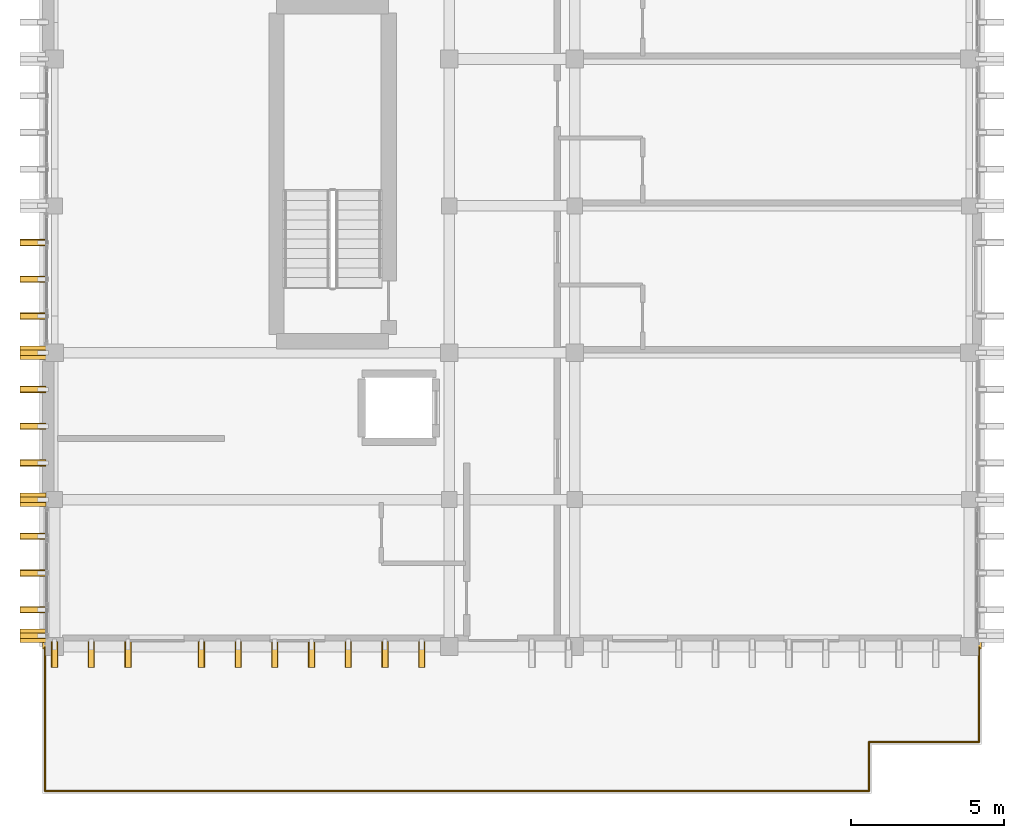
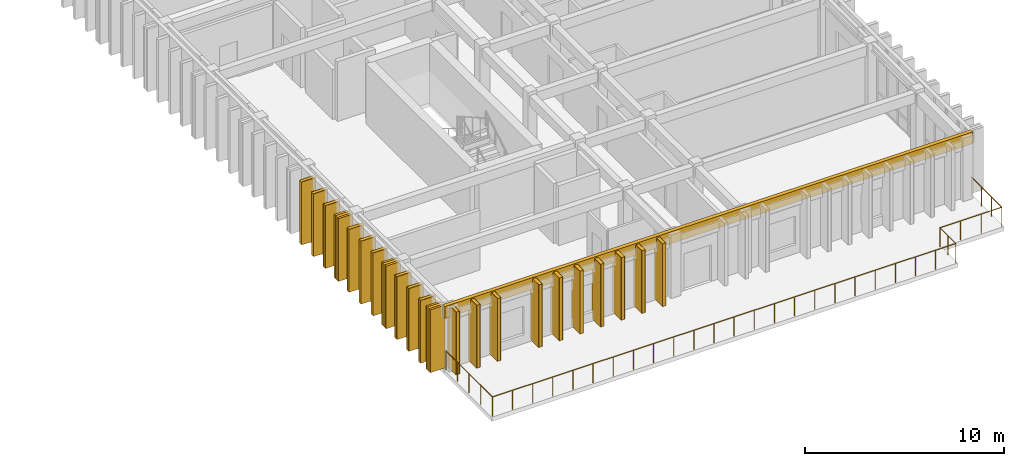
# One storey, part 44 of 49: 23 coverings, 22 shading devices, 1 railing.
"""IFC4 building model written with IfcOpenShell, lengths in metres."""

from ifc_helpers import new_model, si_unit, direction, frame, origin, origin_2d, place, context, subcontext, project, spatial, rectangle, circle, extrude, material, layer, layer_set, type_object, element, save


model = new_model("IFC4")

# Units and contexts
model_context = context("Model", 3, precision=1e-05, world=origin(), true_north=direction((0.0, 1.0)))
body_context = subcontext(model_context, "Body", "Model", "MODEL_VIEW")
ifc_project = project(units=[si_unit("LENGTHUNIT", "METRE"), si_unit("AREAUNIT", "SQUARE_METRE"), si_unit("VOLUMEUNIT", "CUBIC_METRE"), si_unit("PLANEANGLEUNIT", "RADIAN"), si_unit("MASSUNIT", "GRAM", prefix="KILO")], contexts=[model_context])

# Site, building, storey
site_placement = place(None, origin())
site = spatial("IfcSite", under=ifc_project, at=site_placement, CompositionType="ELEMENT")
building_placement = place(site_placement, origin())
building = spatial("IfcBuilding", under=site, at=building_placement, Name="Nakhvara Creek Congress Hotel", CompositionType="ELEMENT")
storey_placement = place(building_placement, frame((0.0, 0.0, 46.5)))
storey = spatial("IfcBuildingStorey", under=building, at=storey_placement, Name="L11", CompositionType="ELEMENT", Elevation=46.5)

# Coverings
ifc_material_1 = material(Name="Honed pale Omani limestone architectural cladding", Category="masonry")
ifc_layer_1 = layer(ifc_material_1, 0.219970703125)
ifc_layer_set_1 = layer_set([ifc_layer_1], Name="Honed pale Omani limestone architectural cladding")
covering_type_1 = type_object("IfcCoveringType", Name="COV-FIN-850", PredefinedType="CLADDING", material=ifc_layer_set_1)
covering_1_placement = place(storey_placement, frame((148.7451171875, 67.550048828125, 0.0), z_axis=(0.0, 0.0, 1.0), x_axis=(0.0, 1.0, 0.0)))
element("IfcCovering", 1, at=covering_1_placement, inside=storey, type_object=covering_type_1, Name="Pale Limestone Fin Cladding CF01-2440", PredefinedType="CLADDING", context=body_context, shape_type="SweptSolid", body=[
    extrude(rectangle(XDim=0.43994140625, YDim=0.85009765625, at=origin_2d()), origin(), (0.0, 0.0, 1.0), 3.860107421875),
])
for number, where, z_axis, x_axis, name in (
    (2, (148.7451171875, 68.39990234375, 0.0), (0.0, 0.0, 1.0), (0.0, 1.0, 0.0), "Pale Limestone Fin Cladding CF01-2442"),
    (3, (148.7451171875, 69.60009765625, 0.0), (0.0, 0.0, 1.0), (0.0, 1.0, 0.0), "Pale Limestone Fin Cladding CF01-2444"),
    (4, (148.7451171875, 70.800048828125, 0.0), (0.0, 0.0, 1.0), (0.0, 1.0, 0.0), "Pale Limestone Fin Cladding CF01-2446"),
):
    element("IfcCovering", number, at=place(storey_placement, frame(where, z_axis=z_axis, x_axis=x_axis)), inside=storey, type_object=covering_type_1, Name=name, PredefinedType="CLADDING", context=body_context, shape_type="SweptSolid", body=[
        extrude(rectangle(XDim=0.219970703125, YDim=0.85009765625, at=origin_2d()), origin(), (0.0, 0.0, 1.0), 3.860107421875),
    ])
covering_2_placement = place(storey_placement, frame((148.7451171875, 72.0, 0.0), z_axis=(0.0, 0.0, 1.0), x_axis=(0.0, 1.0, 0.0)))
element("IfcCovering", 5, at=covering_2_placement, inside=storey, type_object=covering_type_1, Name="Pale Limestone Fin Cladding CF01-2448", PredefinedType="CLADDING", context=body_context, shape_type="SweptSolid", body=[
    extrude(rectangle(XDim=0.43994140625, YDim=0.85009765625, at=origin_2d()), origin(), (0.0, 0.0, 1.0), 3.860107421875),
])
for number, where, z_axis, x_axis, name in (
    (6, (148.7451171875, 73.199951171875, 0.0), (0.0, 0.0, 1.0), (0.0, 1.0, 0.0), "Pale Limestone Fin Cladding CF01-2450"),
    (7, (148.7451171875, 74.39990234375, 0.0), (0.0, 0.0, 1.0), (0.0, 1.0, 0.0), "Pale Limestone Fin Cladding CF01-2452"),
    (8, (148.7451171875, 75.60009765625, 0.0), (0.0, 0.0, 1.0), (0.0, 1.0, 0.0), "Pale Limestone Fin Cladding CF01-2454"),
):
    element("IfcCovering", number, at=place(storey_placement, frame(where, z_axis=z_axis, x_axis=x_axis)), inside=storey, type_object=covering_type_1, Name=name, PredefinedType="CLADDING", context=body_context, shape_type="SweptSolid", body=[
        extrude(rectangle(XDim=0.219970703125, YDim=0.85009765625, at=origin_2d()), origin(), (0.0, 0.0, 1.0), 3.860107421875),
    ])
covering_3_placement = place(storey_placement, frame((148.7451171875, 76.800048828125, 0.0), z_axis=(0.0, 0.0, 1.0), x_axis=(0.0, 1.0, 0.0)))
element("IfcCovering", 9, at=covering_3_placement, inside=storey, type_object=covering_type_1, Name="Pale Limestone Fin Cladding CF01-2456", PredefinedType="CLADDING", context=body_context, shape_type="SweptSolid", body=[
    extrude(rectangle(XDim=0.43994140625, YDim=0.85009765625, at=origin_2d()), origin(), (0.0, 0.0, 1.0), 3.860107421875),
])
for number, where, z_axis, x_axis, name in (
    (10, (148.7451171875, 78.0, 0.0), (0.0, 0.0, 1.0), (0.0, 1.0, 0.0), "Pale Limestone Fin Cladding CF01-2458"),
    (11, (148.7451171875, 79.199951171875, 0.0), (0.0, 0.0, 1.0), (0.0, 1.0, 0.0), "Pale Limestone Fin Cladding CF01-2459"),
    (12, (148.7451171875, 80.39990234375, 0.0), (0.0, 0.0, 1.0), (0.0, 1.0, 0.0), "Pale Limestone Fin Cladding CF01-2461"),
    (13, (149.449951171875, 66.93505859375, 0.0), (0.0, 0.0, 1.0), (1.0, 0.0, 0.0), "Pale Limestone Fin Cladding CF01-2536"),
    (14, (150.64990234375, 66.93505859375, 0.0), (0.0, 0.0, 1.0), (1.0, 0.0, 0.0), "Pale Limestone Fin Cladding CF01-2538"),
    (15, (151.85009765625, 66.93505859375, 0.0), (0.0, 0.0, 1.0), (1.0, 0.0, 0.0), "Pale Limestone Fin Cladding CF01-2540"),
    (16, (154.25, 66.93505859375, 0.0), (0.0, 0.0, 1.0), (1.0, 0.0, 0.0), "Pale Limestone Fin Cladding CF01-2542"),
    (17, (155.449951171875, 66.93505859375, 0.0), (0.0, 0.0, 1.0), (1.0, 0.0, 0.0), "Pale Limestone Fin Cladding CF01-2544"),
    (18, (156.64990234375, 66.93505859375, 0.0), (0.0, 0.0, 1.0), (1.0, 0.0, 0.0), "Pale Limestone Fin Cladding CF01-2546"),
    (19, (157.85009765625, 66.93505859375, 0.0), (0.0, 0.0, 1.0), (1.0, 0.0, 0.0), "Pale Limestone Fin Cladding CF01-2548"),
    (20, (159.050048828125, 66.93505859375, 0.0), (0.0, 0.0, 1.0), (1.0, 0.0, 0.0), "Pale Limestone Fin Cladding CF01-2550"),
    (21, (160.25, 66.93505859375, 0.0), (0.0, 0.0, 1.0), (1.0, 0.0, 0.0), "Pale Limestone Fin Cladding CF01-2552"),
    (22, (161.449951171875, 66.93505859375, 0.0), (0.0, 0.0, 1.0), (1.0, 0.0, 0.0), "Pale Limestone Fin Cladding CF01-2554"),
):
    element("IfcCovering", number, at=place(storey_placement, frame(where, z_axis=z_axis, x_axis=x_axis)), inside=storey, type_object=covering_type_1, Name=name, PredefinedType="CLADDING", context=body_context, shape_type="SweptSolid", body=[
        extrude(rectangle(XDim=0.219970703125, YDim=0.85009765625, at=origin_2d()), origin(), (0.0, 0.0, 1.0), 3.860107421875),
    ])
ifc_layer_2 = layer(ifc_material_1, 0.179931640625)
ifc_layer_set_2 = layer_set([ifc_layer_2], Name="Honed pale Omani limestone architectural cladding")
covering_type_2 = type_object("IfcCoveringType", Name="COV-SPN-180", PredefinedType="CLADDING", material=ifc_layer_set_2)
covering_4_placement = place(storey_placement, frame((164.39990234375, 67.22998046875, 3.2099609375), z_axis=(0.0, 0.0, 1.0), x_axis=(1.0, 0.0, 0.0)))
element("IfcCovering", 23, at=covering_4_placement, inside=storey, type_object=covering_type_2, Name="Pale Limestone Spandrel Band CF02-0088", PredefinedType="CLADDING", context=body_context, shape_type="SweptSolid", body=[
    extrude(rectangle(XDim=30.699951171875, YDim=0.219970703125, at=origin_2d()), origin(), (0.0, 0.0, 1.0), 0.72998046875),
])

# Railing
ifc_material_2 = material(Name="Bronze-anodised aluminium and laminated safety glass balustrade", Category="aluminium")
railing_type = type_object("IfcRailingType", Name="RL-BALUS-1200", PredefinedType="BALUSTRADE", material=ifc_material_2)
railing_placement = place(storey_placement, frame((149.1298828125, 67.159912109375, 0.0)))
element("IfcRailing", 24, at=railing_placement, inside=storey, type_object=railing_type, Name="Terrace Balustrade GR02-L11-009", PredefinedType="BALUSTRADE", context=body_context, shape_type="SweptSolid", body=[
    extrude(circle(Radius=0.02392578125, at=origin_2d()), frame((0.0, -0.0146484375, 1.17578125), z_axis=(0.0, -1.0, 0.0), x_axis=(1.0, 0.0, 0.0)), (0.0, 0.0, 1.0), 4.650634765625),
    extrude(circle(Radius=0.02392578125, at=origin_2d()), frame((0.0146484375, -4.679931640625, 1.17578125), z_axis=(1.0, 0.0, 0.0), x_axis=(0.0, 1.0, 0.0)), (0.0, 0.0, 1.0), 26.910888671875),
    extrude(circle(Radius=0.02392578125, at=origin_2d()), frame((26.940185546875, -4.665283203125, 1.17578125), z_axis=(0.0, 1.0, 0.0), x_axis=(-1.0, 0.0, 0.0)), (0.0, 0.0, 1.0), 1.57080078125),
    extrude(circle(Radius=0.02392578125, at=origin_2d()), frame((26.954833984375, -3.079833984375, 1.17578125), z_axis=(1.0, 0.0, 0.0), x_axis=(0.0, 1.0, 0.0)), (0.0, 0.0, 1.0), 3.570556640625),
    extrude(circle(Radius=0.02392578125, at=origin_2d()), frame((30.5400390625, -3.065185546875, 1.17578125), z_axis=(0.0, 1.0, 0.0), x_axis=(-1.0, 0.0, 0.0)), (0.0, 0.0, 1.0), 3.050537109375),
    extrude(circle(Radius=0.02099609375, at=origin_2d()), origin(), (0.0, 0.0, 1.0), 1.1806640625),
    extrude(circle(Radius=0.02099609375, at=origin_2d()), frame((0.0, -1.169921875, 0.0)), (0.0, 0.0, 1.0), 1.1806640625),
    extrude(circle(Radius=0.02099609375, at=origin_2d()), frame((0.0, -2.33984375, 0.0)), (0.0, 0.0, 1.0), 1.1806640625),
    extrude(circle(Radius=0.02099609375, at=origin_2d()), frame((0.0, -3.510009765625, 0.0)), (0.0, 0.0, 1.0), 1.1806640625),
    extrude(circle(Radius=0.02099609375, at=origin_2d()), frame((0.0, -4.679931640625, 0.0)), (0.0, 0.0, 1.0), 1.1806640625),
    extrude(circle(Radius=0.02099609375, at=origin_2d()), frame((1.17138671875, -4.679931640625, 0.0)), (0.0, 0.0, 1.0), 1.1806640625),
    extrude(circle(Radius=0.02099609375, at=origin_2d()), frame((2.342529296875, -4.679931640625, 0.0)), (0.0, 0.0, 1.0), 1.1806640625),
    extrude(circle(Radius=0.02099609375, at=origin_2d()), frame((3.513916015625, -4.679931640625, 0.0)), (0.0, 0.0, 1.0), 1.1806640625),
    extrude(circle(Radius=0.02099609375, at=origin_2d()), frame((4.685302734375, -4.679931640625, 0.0)), (0.0, 0.0, 1.0), 1.1806640625),
    extrude(circle(Radius=0.02099609375, at=origin_2d()), frame((5.8564453125, -4.679931640625, 0.0)), (0.0, 0.0, 1.0), 1.1806640625),
    extrude(circle(Radius=0.02099609375, at=origin_2d()), frame((7.02783203125, -4.679931640625, 0.0)), (0.0, 0.0, 1.0), 1.1806640625),
    extrude(circle(Radius=0.02099609375, at=origin_2d()), frame((8.19921875, -4.679931640625, 0.0)), (0.0, 0.0, 1.0), 1.1806640625),
    extrude(circle(Radius=0.02099609375, at=origin_2d()), frame((9.37060546875, -4.679931640625, 0.0)), (0.0, 0.0, 1.0), 1.1806640625),
    extrude(circle(Radius=0.02099609375, at=origin_2d()), frame((10.541748046875, -4.679931640625, 0.0)), (0.0, 0.0, 1.0), 1.1806640625),
    extrude(circle(Radius=0.02099609375, at=origin_2d()), frame((11.713134765625, -4.679931640625, 0.0)), (0.0, 0.0, 1.0), 1.1806640625),
    extrude(circle(Radius=0.02099609375, at=origin_2d()), frame((12.884521484375, -4.679931640625, 0.0)), (0.0, 0.0, 1.0), 1.1806640625),
    extrude(circle(Radius=0.02099609375, at=origin_2d()), frame((14.0556640625, -4.679931640625, 0.0)), (0.0, 0.0, 1.0), 1.1806640625),
    extrude(circle(Radius=0.02099609375, at=origin_2d()), frame((15.22705078125, -4.679931640625, 0.0)), (0.0, 0.0, 1.0), 1.1806640625),
    extrude(circle(Radius=0.02099609375, at=origin_2d()), frame((16.3984375, -4.679931640625, 0.0)), (0.0, 0.0, 1.0), 1.1806640625),
    extrude(circle(Radius=0.02099609375, at=origin_2d()), frame((17.569580078125, -4.679931640625, 0.0)), (0.0, 0.0, 1.0), 1.1806640625),
    extrude(circle(Radius=0.02099609375, at=origin_2d()), frame((18.740966796875, -4.679931640625, 0.0)), (0.0, 0.0, 1.0), 1.1806640625),
    extrude(circle(Radius=0.02099609375, at=origin_2d()), frame((19.912353515625, -4.679931640625, 0.0)), (0.0, 0.0, 1.0), 1.1806640625),
    extrude(circle(Radius=0.02099609375, at=origin_2d()), frame((21.083740234375, -4.679931640625, 0.0)), (0.0, 0.0, 1.0), 1.1806640625),
    extrude(circle(Radius=0.02099609375, at=origin_2d()), frame((22.2548828125, -4.679931640625, 0.0)), (0.0, 0.0, 1.0), 1.1806640625),
    extrude(circle(Radius=0.02099609375, at=origin_2d()), frame((23.42626953125, -4.679931640625, 0.0)), (0.0, 0.0, 1.0), 1.1806640625),
    extrude(circle(Radius=0.02099609375, at=origin_2d()), frame((24.59765625, -4.679931640625, 0.0)), (0.0, 0.0, 1.0), 1.1806640625),
    extrude(circle(Radius=0.02099609375, at=origin_2d()), frame((25.768798828125, -4.679931640625, 0.0)), (0.0, 0.0, 1.0), 1.1806640625),
    extrude(circle(Radius=0.02099609375, at=origin_2d()), frame((26.940185546875, -4.679931640625, 0.0)), (0.0, 0.0, 1.0), 1.1806640625),
    extrude(circle(Radius=0.02099609375, at=origin_2d()), frame((26.940185546875, -3.8798828125, 0.0)), (0.0, 0.0, 1.0), 1.1806640625),
    extrude(circle(Radius=0.02099609375, at=origin_2d()), frame((26.940185546875, -3.079833984375, 0.0)), (0.0, 0.0, 1.0), 1.1806640625),
    extrude(circle(Radius=0.02099609375, at=origin_2d()), frame((28.14013671875, -3.079833984375, 0.0)), (0.0, 0.0, 1.0), 1.1806640625),
    extrude(circle(Radius=0.02099609375, at=origin_2d()), frame((29.340087890625, -3.079833984375, 0.0)), (0.0, 0.0, 1.0), 1.1806640625),
    extrude(circle(Radius=0.02099609375, at=origin_2d()), frame((30.5400390625, -3.079833984375, 0.0)), (0.0, 0.0, 1.0), 1.1806640625),
    extrude(circle(Radius=0.02099609375, at=origin_2d()), frame((30.5400390625, -2.05322265625, 0.0)), (0.0, 0.0, 1.0), 1.1806640625),
    extrude(circle(Radius=0.02099609375, at=origin_2d()), frame((30.5400390625, -1.026611328125, 0.0)), (0.0, 0.0, 1.0), 1.1806640625),
    extrude(circle(Radius=0.02099609375, at=origin_2d()), frame((30.5400390625, 0.0, 0.0)), (0.0, 0.0, 1.0), 1.1806640625),
])

# Shading devices
ifc_material_3 = material(Name="Honed pale Omani limestone cladding on stainless steel spine", Category="masonry")
shading_device_type = type_object("IfcShadingDeviceType", Name="SHD-FIN-850X3600", PredefinedType="USERDEFINED", material=ifc_material_3)
for number, where, z_axis, x_axis, name in (
    (25, (148.7451171875, 67.550048828125, 0.0), (0.0, 0.0, 1.0), (0.0, 1.0, 0.0), "Limestone Solar Fin FN01-2305"),
    (26, (148.7451171875, 68.39990234375, 0.0), (0.0, 0.0, 1.0), (0.0, 1.0, 0.0), "Limestone Solar Fin FN01-2307"),
    (27, (148.7451171875, 69.60009765625, 0.0), (0.0, 0.0, 1.0), (0.0, 1.0, 0.0), "Limestone Solar Fin FN01-2309"),
    (28, (148.7451171875, 70.800048828125, 0.0), (0.0, 0.0, 1.0), (0.0, 1.0, 0.0), "Limestone Solar Fin FN01-2311"),
    (29, (148.7451171875, 72.0, 0.0), (0.0, 0.0, 1.0), (0.0, 1.0, 0.0), "Limestone Solar Fin FN01-2313"),
    (30, (148.7451171875, 73.199951171875, 0.0), (0.0, 0.0, 1.0), (0.0, 1.0, 0.0), "Limestone Solar Fin FN01-2315"),
    (31, (148.7451171875, 74.39990234375, 0.0), (0.0, 0.0, 1.0), (0.0, 1.0, 0.0), "Limestone Solar Fin FN01-2317"),
    (32, (148.7451171875, 75.60009765625, 0.0), (0.0, 0.0, 1.0), (0.0, 1.0, 0.0), "Limestone Solar Fin FN01-2319"),
    (33, (148.7451171875, 76.800048828125, 0.0), (0.0, 0.0, 1.0), (0.0, 1.0, 0.0), "Limestone Solar Fin FN01-2321"),
    (34, (148.7451171875, 78.0, 0.0), (0.0, 0.0, 1.0), (0.0, 1.0, 0.0), "Limestone Solar Fin FN01-2323"),
    (35, (148.7451171875, 79.199951171875, 0.0), (0.0, 0.0, 1.0), (0.0, 1.0, 0.0), "Limestone Solar Fin FN01-2324"),
    (36, (148.7451171875, 80.39990234375, 0.0), (0.0, 0.0, 1.0), (0.0, 1.0, 0.0), "Limestone Solar Fin FN01-2326"),
    (37, (149.449951171875, 66.93505859375, 0.0), (0.0, 0.0, 1.0), (1.0, 0.0, 0.0), "Limestone Solar Fin FN01-2401"),
    (38, (150.64990234375, 66.93505859375, 0.0), (0.0, 0.0, 1.0), (1.0, 0.0, 0.0), "Limestone Solar Fin FN01-2403"),
    (39, (151.85009765625, 66.93505859375, 0.0), (0.0, 0.0, 1.0), (1.0, 0.0, 0.0), "Limestone Solar Fin FN01-2405"),
    (40, (154.25, 66.93505859375, 0.0), (0.0, 0.0, 1.0), (1.0, 0.0, 0.0), "Limestone Solar Fin FN01-2407"),
    (41, (155.449951171875, 66.93505859375, 0.0), (0.0, 0.0, 1.0), (1.0, 0.0, 0.0), "Limestone Solar Fin FN01-2409"),
    (42, (156.64990234375, 66.93505859375, 0.0), (0.0, 0.0, 1.0), (1.0, 0.0, 0.0), "Limestone Solar Fin FN01-2411"),
    (43, (157.85009765625, 66.93505859375, 0.0), (0.0, 0.0, 1.0), (1.0, 0.0, 0.0), "Limestone Solar Fin FN01-2413"),
    (44, (159.050048828125, 66.93505859375, 0.0), (0.0, 0.0, 1.0), (1.0, 0.0, 0.0), "Limestone Solar Fin FN01-2415"),
    (45, (160.25, 66.93505859375, 0.0), (0.0, 0.0, 1.0), (1.0, 0.0, 0.0), "Limestone Solar Fin FN01-2417"),
    (46, (161.449951171875, 66.93505859375, 0.0), (0.0, 0.0, 1.0), (1.0, 0.0, 0.0), "Limestone Solar Fin FN01-2419"),
):
    element("IfcShadingDevice", number, at=place(storey_placement, frame(where, z_axis=z_axis, x_axis=x_axis)), inside=storey, type_object=shading_device_type, Name=name, ObjectType="FIN", PredefinedType="USERDEFINED", context=body_context, shape_type="SweptSolid", body=[
        extrude(rectangle(XDim=0.179931640625, YDim=0.85009765625, at=origin_2d()), origin(), (0.0, 0.0, 1.0), 3.860107421875),
    ])

save(model, "model.ifc")
